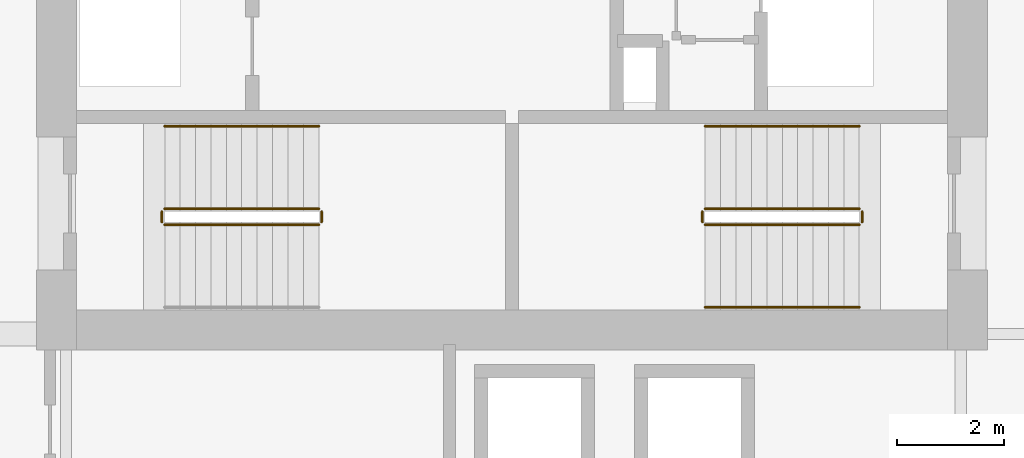
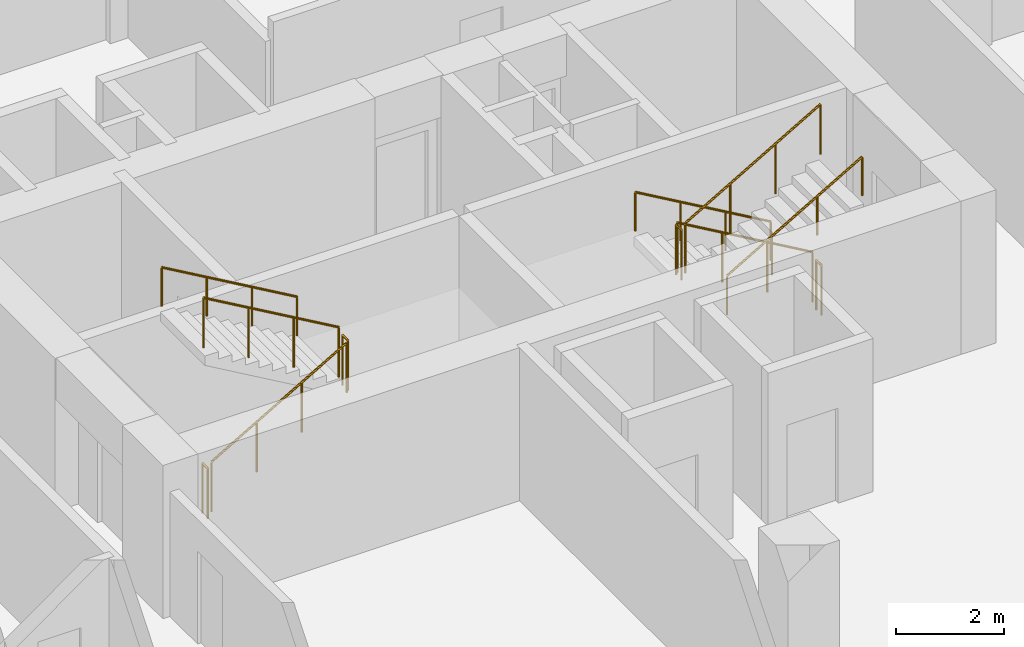
# One storey, part 14 of 16: 11 railings.
"""IFC4 building model written with IfcOpenShell, lengths in metres."""

from ifc_helpers import new_model, si_unit, direction, frame, origin, origin_2d, place, context, subcontext, project, spatial, circle, extrude, material, type_object, element, save


model = new_model("IFC4")

# Units and contexts
model_context = context("Model", 3, precision=1e-05, world=origin(), true_north=direction((0.0, 1.0)))
body_context = subcontext(model_context, "Body", "Model", "MODEL_VIEW")
ifc_project = project(units=[si_unit("LENGTHUNIT", "METRE"), si_unit("AREAUNIT", "SQUARE_METRE"), si_unit("VOLUMEUNIT", "CUBIC_METRE"), si_unit("PLANEANGLEUNIT", "RADIAN"), si_unit("MASSUNIT", "GRAM", prefix="KILO")], contexts=[model_context])

# Site, building, storey
site_placement = place(None, origin())
site = spatial("IfcSite", under=ifc_project, at=site_placement, CompositionType="ELEMENT")
building_placement = place(site_placement, origin())
building = spatial("IfcBuilding", under=site, at=building_placement, Name="Koriwani Terraces Tower", CompositionType="ELEMENT")
storey_placement = place(building_placement, frame((0.0, 0.0, 171.699951171875)))
storey = spatial("IfcBuildingStorey", under=building, at=storey_placement, Name="L41", CompositionType="ELEMENT", Elevation=171.699951171875)

# Railings
ifc_material = material(Name="Steel ASTM A572 Grade 50", Category="steel")
railing_type_1 = type_object("IfcRailingType", Name="GUARD_STAIR_WELL_1120", PredefinedType="GUARDRAIL", material=ifc_material)
railing_1_placement = place(storey_placement, frame((43.85009765625, 18.85009765625, 0.168212890625)))
element("IfcRailing", 1, at=railing_1_placement, inside=storey, type_object=railing_type_1, Name="L41 ST-E1 stair guard 1", PredefinedType="GUARDRAIL", context=body_context, shape_type="SweptSolid", body=[
    extrude(circle(Radius=0.02392578125, at=origin_2d()), frame((0.0, 0.0, 1.1259765625), z_axis=(0.865038774852, 0.0, 0.501705010941), x_axis=(0.0, 1.0, 0.0)), (0.0, 0.0, 1.0), 3.352294921875),
    extrude(circle(Radius=0.02099609375, at=origin_2d()), origin(), (0.0, 0.0, 1.0), 1.101806640625),
    extrude(circle(Radius=0.02099609375, at=origin_2d()), frame((0.966552734375, 0.0, 0.560546875)), (0.0, 0.0, 1.0), 1.101806640625),
    extrude(circle(Radius=0.02099609375, at=origin_2d()), frame((1.933349609375, 0.0, 1.121337890625)), (0.0, 0.0, 1.0), 1.101806640625),
    extrude(circle(Radius=0.02099609375, at=origin_2d()), frame((2.89990234375, 0.0, 1.681884765625)), (0.0, 0.0, 1.0), 1.101806640625),
])
railing_2_placement = place(storey_placement, frame((46.800048828125, 18.89990234375, 1.85009765625)))
element("IfcRailing", 2, at=railing_2_placement, inside=storey, type_object=railing_type_1, Name="L41 ST-E1 stair guard 2", PredefinedType="GUARDRAIL", context=body_context, shape_type="SweptSolid", body=[
    extrude(circle(Radius=0.02392578125, at=origin_2d()), frame((0.0, 0.0, 1.1259765625), z_axis=(0.0, 1.0, 0.0), x_axis=(-1.0, 0.0, 0.0)), (0.0, 0.0, 1.0), 0.2001953125),
    extrude(circle(Radius=0.02099609375, at=origin_2d()), origin(), (0.0, 0.0, 1.0), 1.101806640625),
    extrude(circle(Radius=0.02099609375, at=origin_2d()), frame((0.0, 0.2001953125, 0.0)), (0.0, 0.0, 1.0), 1.101806640625),
])
railing_3_placement = place(storey_placement, frame((46.75, 19.14990234375, 2.018310546875)))
element("IfcRailing", 3, at=railing_3_placement, inside=storey, type_object=railing_type_1, Name="L41 ST-E1 stair guard 3", PredefinedType="GUARDRAIL", context=body_context, shape_type="SweptSolid", body=[
    extrude(circle(Radius=0.02392578125, at=origin_2d()), frame((0.0, 0.0, 1.1259765625), z_axis=(-0.86507038078, 0.0, 0.501650512107), x_axis=(0.0, -1.0, 0.0)), (0.0, 0.0, 1.0), 3.352294921875),
    extrude(circle(Radius=0.02099609375, at=origin_2d()), origin(), (0.0, 0.0, 1.0), 1.101806640625),
    extrude(circle(Radius=0.02099609375, at=origin_2d()), frame((-0.966552734375, 0.0, 0.560546875)), (0.0, 0.0, 1.0), 1.101806640625),
    extrude(circle(Radius=0.02099609375, at=origin_2d()), frame((-1.933349609375, 0.0, 1.12109375)), (0.0, 0.0, 1.0), 1.101806640625),
    extrude(circle(Radius=0.02099609375, at=origin_2d()), frame((-2.89990234375, 0.0, 1.681640625)), (0.0, 0.0, 1.0), 1.101806640625),
])
railing_4_placement = place(storey_placement, frame((43.800048828125, 18.89990234375, 0.0)))
element("IfcRailing", 4, at=railing_4_placement, inside=storey, type_object=railing_type_1, Name="L41 ST-E1 stair guard 4", PredefinedType="GUARDRAIL", context=body_context, shape_type="SweptSolid", body=[
    extrude(circle(Radius=0.02392578125, at=origin_2d()), frame((0.0, 0.0, 1.1259765625), z_axis=(0.0, 1.0, 0.0), x_axis=(-1.0, 0.0, 0.0)), (0.0, 0.0, 1.0), 0.2001953125),
    extrude(circle(Radius=0.02099609375, at=origin_2d()), origin(), (0.0, 0.0, 1.0), 1.101806640625),
    extrude(circle(Radius=0.02099609375, at=origin_2d()), frame((0.0, 0.2001953125, 0.0)), (0.0, 0.0, 1.0), 1.101806640625),
])
railing_5_placement = place(storey_placement, frame((56.89990234375, 19.14990234375, 0.168212890625)))
element("IfcRailing", 5, at=railing_5_placement, inside=storey, type_object=railing_type_1, Name="L41 ST-E2 stair guard 1", PredefinedType="GUARDRAIL", context=body_context, shape_type="SweptSolid", body=[
    extrude(circle(Radius=0.02392578125, at=origin_2d()), frame((0.0, 0.0, 1.1259765625), z_axis=(-0.865038774852, 0.0, 0.501705010941), x_axis=(0.0, -1.0, 0.0)), (0.0, 0.0, 1.0), 3.352294921875),
    extrude(circle(Radius=0.02099609375, at=origin_2d()), origin(), (0.0, 0.0, 1.0), 1.101806640625),
    extrude(circle(Radius=0.02099609375, at=origin_2d()), frame((-0.966552734375, 0.0, 0.560546875)), (0.0, 0.0, 1.0), 1.101806640625),
    extrude(circle(Radius=0.02099609375, at=origin_2d()), frame((-1.933349609375, 0.0, 1.121337890625)), (0.0, 0.0, 1.0), 1.101806640625),
    extrude(circle(Radius=0.02099609375, at=origin_2d()), frame((-2.89990234375, 0.0, 1.681884765625)), (0.0, 0.0, 1.0), 1.101806640625),
])
railing_6_placement = place(storey_placement, frame((53.949951171875, 19.10009765625, 1.85009765625)))
element("IfcRailing", 6, at=railing_6_placement, inside=storey, type_object=railing_type_1, Name="L41 ST-E2 stair guard 2", PredefinedType="GUARDRAIL", context=body_context, shape_type="SweptSolid", body=[
    extrude(circle(Radius=0.02392578125, at=origin_2d()), frame((0.0, 0.0, 1.1259765625), z_axis=(0.0, -1.0, 0.0), x_axis=(1.0, 0.0, 0.0)), (0.0, 0.0, 1.0), 0.2001953125),
    extrude(circle(Radius=0.02099609375, at=origin_2d()), origin(), (0.0, 0.0, 1.0), 1.101806640625),
    extrude(circle(Radius=0.02099609375, at=origin_2d()), frame((0.0, -0.2001953125, 0.0)), (0.0, 0.0, 1.0), 1.101806640625),
])
railing_7_placement = place(storey_placement, frame((54.0, 18.85009765625, 2.018310546875)))
element("IfcRailing", 7, at=railing_7_placement, inside=storey, type_object=railing_type_1, Name="L41 ST-E2 stair guard 3", PredefinedType="GUARDRAIL", context=body_context, shape_type="SweptSolid", body=[
    extrude(circle(Radius=0.02392578125, at=origin_2d()), frame((0.0, 0.0, 1.1259765625), z_axis=(0.86507038078, 0.0, 0.501650512107), x_axis=(0.0, 1.0, 0.0)), (0.0, 0.0, 1.0), 3.352294921875),
    extrude(circle(Radius=0.02099609375, at=origin_2d()), origin(), (0.0, 0.0, 1.0), 1.101806640625),
    extrude(circle(Radius=0.02099609375, at=origin_2d()), frame((0.966552734375, 0.0, 0.560546875)), (0.0, 0.0, 1.0), 1.101806640625),
    extrude(circle(Radius=0.02099609375, at=origin_2d()), frame((1.933349609375, 0.0, 1.12109375)), (0.0, 0.0, 1.0), 1.101806640625),
    extrude(circle(Radius=0.02099609375, at=origin_2d()), frame((2.89990234375, 0.0, 1.681640625)), (0.0, 0.0, 1.0), 1.101806640625),
])
railing_8_placement = place(storey_placement, frame((56.949951171875, 19.10009765625, 0.0)))
element("IfcRailing", 8, at=railing_8_placement, inside=storey, type_object=railing_type_1, Name="L41 ST-E2 stair guard 4", PredefinedType="GUARDRAIL", context=body_context, shape_type="SweptSolid", body=[
    extrude(circle(Radius=0.02392578125, at=origin_2d()), frame((0.0, 0.0, 1.1259765625), z_axis=(0.0, -1.0, 0.0), x_axis=(1.0, 0.0, 0.0)), (0.0, 0.0, 1.0), 0.2001953125),
    extrude(circle(Radius=0.02099609375, at=origin_2d()), origin(), (0.0, 0.0, 1.0), 1.101806640625),
    extrude(circle(Radius=0.02099609375, at=origin_2d()), frame((0.0, -0.2001953125, 0.0)), (0.0, 0.0, 1.0), 1.101806640625),
])
railing_type_2 = type_object("IfcRailingType", Name="HANDRAIL_STAIR_920", PredefinedType="HANDRAIL", material=ifc_material)
railing_9_placement = place(storey_placement, frame((46.75, 20.699951171875, 2.018310546875)))
element("IfcRailing", 9, at=railing_9_placement, inside=storey, type_object=railing_type_2, Name="L41 ST-E1 stair handrail 2", PredefinedType="HANDRAIL", context=body_context, shape_type="SweptSolid", body=[
    extrude(circle(Radius=0.02392578125, at=origin_2d()), frame((0.0, 0.0, 0.8759765625), z_axis=(-0.86507038078, 0.0, 0.501650512107), x_axis=(0.0, -1.0, 0.0)), (0.0, 0.0, 1.0), 3.352294921875),
    extrude(circle(Radius=0.02099609375, at=origin_2d()), origin(), (0.0, 0.0, 1.0), 0.851806640625),
    extrude(circle(Radius=0.02099609375, at=origin_2d()), frame((-0.966552734375, 0.0, 0.560546875)), (0.0, 0.0, 1.0), 0.851806640625),
    extrude(circle(Radius=0.02099609375, at=origin_2d()), frame((-1.933349609375, 0.0, 1.12109375)), (0.0, 0.0, 1.0), 0.851806640625),
    extrude(circle(Radius=0.02099609375, at=origin_2d()), frame((-2.89990234375, 0.0, 1.681640625)), (0.0, 0.0, 1.0), 0.851806640625),
])
railing_10_placement = place(storey_placement, frame((56.89990234375, 20.699951171875, 0.168212890625)))
element("IfcRailing", 10, at=railing_10_placement, inside=storey, type_object=railing_type_2, Name="L41 ST-E2 stair handrail 1", PredefinedType="HANDRAIL", context=body_context, shape_type="SweptSolid", body=[
    extrude(circle(Radius=0.02392578125, at=origin_2d()), frame((0.0, 0.0, 0.8759765625), z_axis=(-0.865038774852, 0.0, 0.501705010941), x_axis=(0.0, -1.0, 0.0)), (0.0, 0.0, 1.0), 3.352294921875),
    extrude(circle(Radius=0.02099609375, at=origin_2d()), origin(), (0.0, 0.0, 1.0), 0.851806640625),
    extrude(circle(Radius=0.02099609375, at=origin_2d()), frame((-0.966552734375, 0.0, 0.560546875)), (0.0, 0.0, 1.0), 0.851806640625),
    extrude(circle(Radius=0.02099609375, at=origin_2d()), frame((-1.933349609375, 0.0, 1.121337890625)), (0.0, 0.0, 1.0), 0.851806640625),
    extrude(circle(Radius=0.02099609375, at=origin_2d()), frame((-2.89990234375, 0.0, 1.681884765625)), (0.0, 0.0, 1.0), 0.851806640625),
])
railing_11_placement = place(storey_placement, frame((54.0, 17.300048828125, 2.018310546875)))
element("IfcRailing", 11, at=railing_11_placement, inside=storey, type_object=railing_type_2, Name="L41 ST-E2 stair handrail 2", PredefinedType="HANDRAIL", context=body_context, shape_type="SweptSolid", body=[
    extrude(circle(Radius=0.02392578125, at=origin_2d()), frame((0.0, 0.0, 0.8759765625), z_axis=(0.86507038078, 0.0, 0.501650512107), x_axis=(0.0, 1.0, 0.0)), (0.0, 0.0, 1.0), 3.352294921875),
    extrude(circle(Radius=0.02099609375, at=origin_2d()), origin(), (0.0, 0.0, 1.0), 0.851806640625),
    extrude(circle(Radius=0.02099609375, at=origin_2d()), frame((0.966552734375, 0.0, 0.560546875)), (0.0, 0.0, 1.0), 0.851806640625),
    extrude(circle(Radius=0.02099609375, at=origin_2d()), frame((1.933349609375, 0.0, 1.12109375)), (0.0, 0.0, 1.0), 0.851806640625),
    extrude(circle(Radius=0.02099609375, at=origin_2d()), frame((2.89990234375, 0.0, 1.681640625)), (0.0, 0.0, 1.0), 0.851806640625),
])

save(model, "model.ifc")
